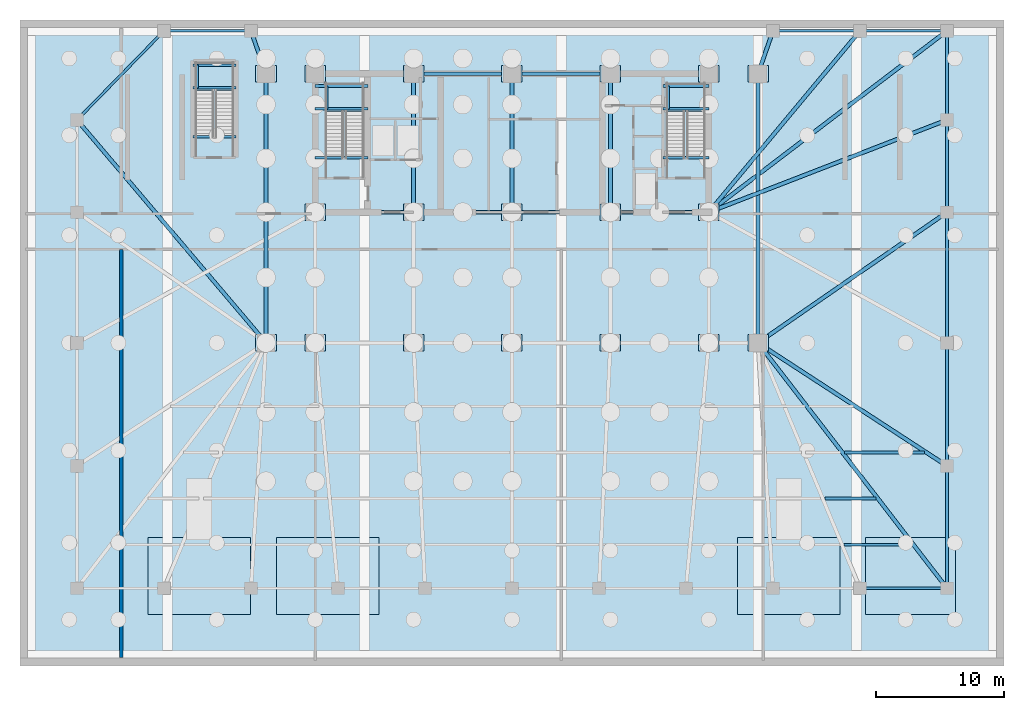
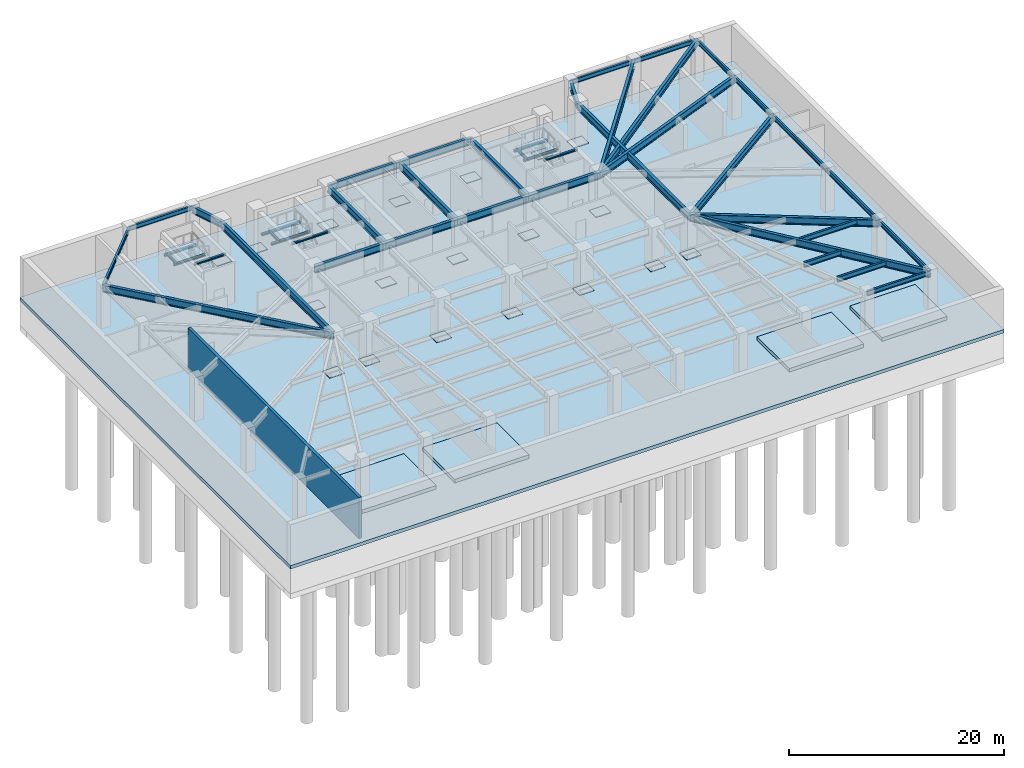
# One storey, part 3 of 9: 45 beams, 19 plates, 8 slabs, 1 wall, 3 elements without a shape of their own.
"""IFC4 building model written with IfcOpenShell, lengths in metres."""

import ifcopenshell
import ifcopenshell.guid

model = None  # the IFC model being written
_history = None  # IfcOwnerHistory: only IFC2X3 demands one
_inside = {}  # id of a spatial element -> (the spatial element, [elements in it])
_under = {}  # id of a project, library or spatial element -> (it, [spatial elements below it])
_declared = {}  # id of a project -> (the project, [libraries it declares])
_typed = {}  # id of a type object -> (the type object, [elements of that type])
_made_of = {}  # id of a material, layer set ... -> (it, [elements and type objects made of it])


def new_model(schema):
    """Start an empty IFC model of exactly this schema.

    Asked for "IFC4X3", IfcOpenShell would pick the latest addendum, in which some entities
    have other attributes; the version numbers below select the first issue.
    IFC2X3 requires an IfcOwnerHistory on every rooted entity: one is made here for all.
    """
    global model, _history
    if schema == "IFC4X3":
        model = ifcopenshell.file(schema_version=(4, 3, 0, 0))
    else:
        model = ifcopenshell.file(schema=schema)
    _inside.clear()
    _under.clear()
    _declared.clear()
    _typed.clear()
    _made_of.clear()
    _history = None
    if model.schema == "IFC2X3":
        org = make("IfcOrganization", Name="unknown")
        user = make(
            "IfcPersonAndOrganization",
            ThePerson=make("IfcPerson", FamilyName="unknown"),
            TheOrganization=org,
        )
        app = make(
            "IfcApplication",
            ApplicationDeveloper=org,
            Version="unknown",
            ApplicationFullName="unknown",
            ApplicationIdentifier="unknown",
        )
        _history = make(
            "IfcOwnerHistory",
            OwningUser=user,
            OwningApplication=app,
            ChangeAction="ADDED",
            CreationDate=0,
        )
    return model


def make(cls, **values):
    """One entity of the class cls with the attributes given. An attribute that is None is left unset."""
    return model.create_entity(
        cls, **{name: value for name, value in values.items() if value is not None}
    )


def rooted(cls, **values):
    """An entity with a GlobalId (a new one), such as an element, a storey or a relation."""
    return make(cls, GlobalId=ifcopenshell.guid.new(), OwnerHistory=_history, **values)


def si_unit(unit_type, name, prefix=None):
    """IfcSIUnit, for example si_unit("LENGTHUNIT", "METRE", prefix="MILLI")."""
    return make("IfcSIUnit", UnitType=unit_type, Prefix=prefix, Name=name)


def assignment(units):
    """IfcUnitAssignment: the units of a project."""
    return None if units is None else make("IfcUnitAssignment", Units=units)


def point(xyz):
    """IfcCartesianPoint."""
    return None if xyz is None else make("IfcCartesianPoint", Coordinates=xyz)


def direction(xyz):
    """IfcDirection."""
    return None if xyz is None else make("IfcDirection", DirectionRatios=xyz)


def frame(location, z_axis=None, x_axis=None):
    """IfcAxis2Placement3D, a coordinate frame: its origin and axes. An axis left out is left unset."""
    return make(
        "IfcAxis2Placement3D",
        Location=point(location),
        Axis=direction(z_axis),
        RefDirection=direction(x_axis),
    )


def frame_2d(location, x_axis=None):
    """IfcAxis2Placement2D, a coordinate frame in the plane: its origin and x axis."""
    return make(
        "IfcAxis2Placement2D", Location=point(location), RefDirection=direction(x_axis)
    )


def origin():
    """The frame at (0, 0, 0) with its axes left unset."""
    return frame((0.0, 0.0, 0.0))


def origin_2d():
    """The frame at (0, 0) in the plane with its x axis left unset."""
    return frame_2d((0.0, 0.0))


def place(relative_to, where):
    """IfcLocalPlacement: puts the frame where relative to a parent placement (None: the world)."""
    return make(
        "IfcLocalPlacement", PlacementRelTo=relative_to, RelativePlacement=where
    )


def context(
    kind, dimensions, precision=None, world=None, true_north=None, identifier=None
):
    """IfcGeometricRepresentationContext, for example the 3D "Model" context."""
    return make(
        "IfcGeometricRepresentationContext",
        ContextIdentifier=identifier,
        ContextType=kind,
        CoordinateSpaceDimension=dimensions,
        Precision=precision,
        WorldCoordinateSystem=world,
        TrueNorth=true_north,
    )


def subcontext(parent, identifier, kind, view, scale=None):
    """IfcGeometricRepresentationSubContext, for example "Body" below "Model"."""
    return make(
        "IfcGeometricRepresentationSubContext",
        ContextIdentifier=identifier,
        ContextType=kind,
        ParentContext=parent,
        TargetScale=scale,
        TargetView=view,
    )


def project(units=None, contexts=None):
    """IfcProject with its units and contexts."""
    return rooted(
        "IfcProject",
        Name="project",
        RepresentationContexts=contexts,
        UnitsInContext=assignment(units),
    )


def spatial(cls, under=None, at=None, **own):
    """A site, building, storey or space (cls), placed at a placement, below another one or the project."""
    s = rooted(cls, ObjectPlacement=at, **own)
    if under is not None:
        _under.setdefault(under.id(), (under, []))[1].append(s)
    return s


def polyline(points):
    """IfcPolyline through the points."""
    return make("IfcPolyline", Points=[point(p) for p in points])


def profile(cls, at=None, kind="AREA", **sizes):
    """A parametric profile (cls). Its sizes go by their IFC names, for example OverallWidth=200.0."""
    return make(cls, ProfileType=kind, Position=at, **sizes)


def rectangle(**sizes):
    """IfcRectangleProfileDef."""
    return profile("IfcRectangleProfileDef", **sizes)


def i_section(**sizes):
    """IfcIShapeProfileDef."""
    return profile("IfcIShapeProfileDef", **sizes)


def outline(outer, holes=None, kind="AREA"):
    """IfcArbitraryClosedProfileDef: a profile drawn as a closed curve; with holes, ...WithVoids."""
    if holes is None:
        return make("IfcArbitraryClosedProfileDef", ProfileType=kind, OuterCurve=outer)
    return make(
        "IfcArbitraryProfileDefWithVoids",
        ProfileType=kind,
        OuterCurve=outer,
        InnerCurves=holes,
    )


def extrude(swept, where, along, depth):
    """IfcExtrudedAreaSolid: the profile swept, set in the frame where, extruded along a direction by depth."""
    return make(
        "IfcExtrudedAreaSolid",
        SweptArea=swept,
        Position=where,
        ExtrudedDirection=direction(along),
        Depth=depth,
    )


def shape(context_of_items, identifier, shape_type, items):
    """IfcShapeRepresentation: the items that make up one representation, for example the "Body"."""
    return make(
        "IfcShapeRepresentation",
        ContextOfItems=context_of_items,
        RepresentationIdentifier=identifier,
        RepresentationType=shape_type,
        Items=items,
    )


def material(Name=None, Category=None):
    """IfcMaterial."""
    return make("IfcMaterial", Name=Name, Category=Category)


def layer(
    of_material, thickness, ventilated=None, Name=None, Category=None, Priority=None
):
    """IfcMaterialLayer: one layer of a wall or slab, of a material (None: an air gap)."""
    return make(
        "IfcMaterialLayer",
        Material=of_material,
        LayerThickness=thickness,
        IsVentilated=ventilated,
        Name=Name,
        Category=Category,
        Priority=Priority,
    )


def layer_set(layers, Name=None):
    """IfcMaterialLayerSet."""
    return make("IfcMaterialLayerSet", MaterialLayers=layers, LayerSetName=Name)


def material_profile(
    of_material, cross_section, Name=None, Category=None, Priority=None
):
    """IfcMaterialProfile: a cross section and its material."""
    return make(
        "IfcMaterialProfile",
        Name=Name,
        Material=of_material,
        Profile=cross_section,
        Priority=Priority,
        Category=Category,
    )


def profile_set(profiles, Name=None, composite=None):
    """IfcMaterialProfileSet."""
    return make(
        "IfcMaterialProfileSet",
        Name=Name,
        MaterialProfiles=profiles,
        CompositeProfile=composite,
    )


def made_of(thing, what):
    """Note that an element or type object is made of a material, layer set ...; save() writes the relation."""
    if what is not None:
        _made_of.setdefault(what.id(), (what, []))[1].append(thing)
    return thing


def type_object(cls, material=None, **own):
    """A type object (cls), such as IfcWallType, which elements share."""
    return made_of(rooted(cls, **own), material)


def element(
    cls,
    number,
    at=None,
    inside=None,
    cuts=None,
    type_object=None,
    material=None,
    context=None,
    identifier="Body",
    shape_type=None,
    held_by="IfcProductDefinitionShape",
    body=None,
    shapes=None,
    **own,
):
    """One element of the class cls, such as IfcWall. Its Tag is "e" and its number.

    at: its placement. inside: the storey or other place that contains it. cuts: it is an
    opening in that element (IfcRelVoidsElement). A single representation is given by context,
    identifier, shape_type and body (its items); several are given by shapes. held_by: the class
    of the entity that holds the representations. save() writes the other relations.
    """
    e = rooted(cls, Tag="e%d" % number, ObjectPlacement=at, **own)
    if body is not None:
        shapes = [shape(context, identifier, shape_type, body)]
    if shapes is not None:
        e.Representation = make(held_by, Representations=shapes)
    if inside is not None:
        _inside.setdefault(inside.id(), (inside, []))[1].append(e)
    if cuts is not None:
        rooted(
            "IfcRelVoidsElement", RelatingBuildingElement=cuts, RelatedOpeningElement=e
        )
    if type_object is not None:
        _typed.setdefault(type_object.id(), (type_object, []))[1].append(e)
    return made_of(e, material)


def aggregate(whole, parts):
    """IfcRelAggregates: a whole, such as a stair, and the parts it consists of."""
    return rooted("IfcRelAggregates", RelatingObject=whole, RelatedObjects=parts)


def save(model, path):
    """Write the relations noted so far, then the file.

    IfcRelAggregates (storeys below a building ...), IfcRelContainedInSpatialStructure (elements
    in a storey), IfcRelDefinesByType, IfcRelAssociatesMaterial and IfcRelDeclares: one each for
    every whole, place, type object, material and project.
    """
    for whole, parts in _under.values():
        aggregate(whole, parts)
    for where, things in _inside.values():
        rooted(
            "IfcRelContainedInSpatialStructure",
            RelatedElements=things,
            RelatingStructure=where,
        )
    for kind, things in _typed.values():
        rooted("IfcRelDefinesByType", RelatedObjects=things, RelatingType=kind)
    for what, things in _made_of.values():
        rooted("IfcRelAssociatesMaterial", RelatedObjects=things, RelatingMaterial=what)
    for by, libraries in _declared.values():
        rooted("IfcRelDeclares", RelatingContext=by, RelatedDefinitions=libraries)
    model.write(path)


model = new_model("IFC4")

# Units and contexts
model_context = context("Model", 3, precision=1e-05, world=origin(), true_north=direction((0.0, 1.0)))
body_context = subcontext(model_context, "Body", "Model", "MODEL_VIEW")
ifc_project = project(units=[si_unit("LENGTHUNIT", "METRE"), si_unit("AREAUNIT", "SQUARE_METRE"), si_unit("VOLUMEUNIT", "CUBIC_METRE"), si_unit("PLANEANGLEUNIT", "RADIAN"), si_unit("MASSUNIT", "GRAM", prefix="KILO")], contexts=[model_context])

# Site, building, storey
site_placement = place(None, origin())
site = spatial("IfcSite", under=ifc_project, at=site_placement, CompositionType="ELEMENT")
building_placement = place(site_placement, origin())
building = spatial("IfcBuilding", under=site, at=building_placement, Name="Yelkora Congress Tower", CompositionType="ELEMENT")
storey_placement = place(building_placement, frame((0.0, 0.0, -10.0)))
storey = spatial("IfcBuildingStorey", under=building, at=storey_placement, Name="B02", CompositionType="ELEMENT", Elevation=-10.0)

# Beams
ifc_material_1 = material(Name="Steel S355J2", Category="steel")
ifc_material_profile_1 = material_profile(ifc_material_1, i_section(OverallWidth=0.300048828125, OverallDepth=0.800048828125, WebThickness=0.017578125, FlangeThickness=0.032958984375, FilletRadius=0.030029296875, at=origin_2d()), Name="HEB 800")
ifc_profile_set_1 = profile_set([ifc_material_profile_1], Name="Steel S355J2")
beam_type_1 = type_object("IfcBeamType", Name="BM-GIRD-HEB800", PredefinedType="BEAM", material=ifc_profile_set_1)
beam_1_placement = place(storey_placement, frame((30.719970703125, 46.199951171875, 4.25), z_axis=(1.0, 0.0, 0.0), x_axis=(0.0, 1.0, 0.0)))
element("IfcBeam", 1, at=beam_1_placement, inside=storey, type_object=beam_type_1, Name="B02 Core North Girder 3", PredefinedType="BEAM", context=body_context, shape_type="SweptSolid", body=[
    extrude(i_section(OverallWidth=0.300048828125, OverallDepth=0.800048828125, WebThickness=0.017578125, FlangeThickness=0.032958984375, FilletRadius=0.030029296875, at=origin_2d()), origin(), (0.0, 0.0, 1.0), 7.679931640625),
])
beam_2_placement = place(storey_placement, frame((38.39990234375, 46.199951171875, 4.25), z_axis=(1.0, 0.0, 0.0), x_axis=(0.0, 1.0, 0.0)))
element("IfcBeam", 2, at=beam_2_placement, inside=storey, type_object=beam_type_1, Name="B02 Core North Girder 4", PredefinedType="BEAM", context=body_context, shape_type="SweptSolid", body=[
    extrude(i_section(OverallWidth=0.300048828125, OverallDepth=0.800048828125, WebThickness=0.017578125, FlangeThickness=0.032958984375, FilletRadius=0.030029296875, at=origin_2d()), origin(), (0.0, 0.0, 1.0), 7.68017578125),
])
for number, where, z_axis, x_axis, name in (
    (3, (23.0400390625, 35.39990234375, 4.25), (1.0, 0.0, 0.0), (0.0, 1.0, 0.0), "B02 Core South Girder 1"),
    (4, (30.719970703125, 35.39990234375, 4.25), (1.0, 0.0, 0.0), (0.0, 1.0, 0.0), "B02 Core South Girder 2"),
):
    element("IfcBeam", number, at=place(storey_placement, frame(where, z_axis=z_axis, x_axis=x_axis)), inside=storey, type_object=beam_type_1, Name=name, PredefinedType="BEAM", context=body_context, shape_type="SweptSolid", body=[
        extrude(i_section(OverallWidth=0.300048828125, OverallDepth=0.800048828125, WebThickness=0.017578125, FlangeThickness=0.032958984375, FilletRadius=0.030029296875, at=origin_2d()), origin(), (0.0, 0.0, 1.0), 7.679931640625),
    ])
beam_3_placement = place(storey_placement, frame((38.39990234375, 35.39990234375, 4.25), z_axis=(1.0, 0.0, 0.0), x_axis=(0.0, 1.0, 0.0)))
element("IfcBeam", 5, at=beam_3_placement, inside=storey, type_object=beam_type_1, Name="B02 Core South Girder 3", PredefinedType="BEAM", context=body_context, shape_type="SweptSolid", body=[
    extrude(i_section(OverallWidth=0.300048828125, OverallDepth=0.800048828125, WebThickness=0.017578125, FlangeThickness=0.032958984375, FilletRadius=0.030029296875, at=origin_2d()), origin(), (0.0, 0.0, 1.0), 7.68017578125),
])
beam_4_placement = place(storey_placement, frame((46.080078125, 35.39990234375, 4.25), z_axis=(1.0, 0.0, 0.0), x_axis=(0.0, 1.0, 0.0)))
element("IfcBeam", 6, at=beam_4_placement, inside=storey, type_object=beam_type_1, Name="B02 Core South Girder 4", PredefinedType="BEAM", context=body_context, shape_type="SweptSolid", body=[
    extrude(i_section(OverallWidth=0.300048828125, OverallDepth=0.800048828125, WebThickness=0.017578125, FlangeThickness=0.032958984375, FilletRadius=0.030029296875, at=origin_2d()), origin(), (0.0, 0.0, 1.0), 7.679931640625),
])
for number, where, z_axis, x_axis, name in (
    (7, (30.719970703125, 35.39990234375, 4.25), (0.0, 1.0, 0.0), (-1.0, 0.0, 0.0), "B02 Core Tie Girder MC-S2"),
    (8, (38.39990234375, 35.39990234375, 4.25), (0.0, 1.0, 0.0), (-1.0, 0.0, 0.0), "B02 Core Tie Girder MC-S3"),
    (9, (46.080078125, 35.39990234375, 4.25), (0.0, 1.0, 0.0), (-1.0, 0.0, 0.0), "B02 Core Tie Girder MC-S4"),
):
    element("IfcBeam", number, at=place(storey_placement, frame(where, z_axis=z_axis, x_axis=x_axis)), inside=storey, type_object=beam_type_1, Name=name, PredefinedType="BEAM", context=body_context, shape_type="SweptSolid", body=[
        extrude(i_section(OverallWidth=0.300048828125, OverallDepth=0.800048828125, WebThickness=0.017578125, FlangeThickness=0.032958984375, FilletRadius=0.030029296875, at=origin_2d()), origin(), (0.0, 0.0, 1.0), 10.800048828125),
    ])
for number, where, z_axis, x_axis, name in (
    (10, (19.199951171875, 25.199951171875, 4.25), (0.0, 1.0, 0.0), (-1.0, 0.0, 0.0), "B02 Neck Flank Girder MC-F1"),
    (11, (57.60009765625, 25.199951171875, 4.25), (0.0, 1.0, 0.0), (-1.0, 0.0, 0.0), "B02 Neck Flank Girder MC-F2"),
):
    element("IfcBeam", number, at=place(storey_placement, frame(where, z_axis=z_axis, x_axis=x_axis)), inside=storey, type_object=beam_type_1, Name=name, PredefinedType="BEAM", context=body_context, shape_type="SweptSolid", body=[
        extrude(i_section(OverallWidth=0.300048828125, OverallDepth=0.800048828125, WebThickness=0.017578125, FlangeThickness=0.032958984375, FilletRadius=0.030029296875, at=origin_2d()), origin(), (0.0, 0.0, 1.0), 21.0),
    ])
for number, where, z_axis, x_axis, name in (
    (12, (18.030029296875, 49.550048828125, 4.25), (0.329694513381, -0.944087669577, 0.0), (0.944087669577, 0.329694513381, 0.0), "B02 Primary Frame Girder PN03"),
    (13, (58.77001953125, 49.550048828125, 4.25), (-0.329694513381, -0.944087669577, 0.0), (0.944087669577, -0.329694513381, 0.0), "B02 Primary Frame Girder PN09"),
):
    element("IfcBeam", number, at=place(storey_placement, frame(where, z_axis=z_axis, x_axis=x_axis)), inside=storey, type_object=beam_type_1, Name=name, PredefinedType="BEAM", context=body_context, shape_type="SweptSolid", body=[
        extrude(i_section(OverallWidth=0.300048828125, OverallDepth=0.800048828125, WebThickness=0.017578125, FlangeThickness=0.032958984375, FilletRadius=0.030029296875, at=origin_2d()), origin(), (0.0, 0.0, 1.0), 3.548583984375),
    ])
beam_5_placement = place(storey_placement, frame((65.56005859375, 49.550048828125, 4.25), z_axis=(-0.640448942428, -0.768000750092, 0.0), x_axis=(0.768000750092, -0.640448942428, 0.0)))
element("IfcBeam", 14, at=beam_5_placement, inside=storey, type_object=beam_type_1, Name="B02 Primary Frame Girder PN10", PredefinedType="BEAM", context=body_context, shape_type="SweptSolid", body=[
    extrude(i_section(OverallWidth=0.300048828125, OverallDepth=0.800048828125, WebThickness=0.017578125, FlangeThickness=0.032958984375, FilletRadius=0.030029296875, at=origin_2d()), origin(), (0.0, 0.0, 1.0), 18.424560546875),
])
beam_6_placement = place(storey_placement, frame((72.35009765625, 6.050048828125, 4.25), z_axis=(-0.610212418574, 0.792237845737, 0.0), x_axis=(-0.792237845737, -0.610212418574, 0.0)))
element("IfcBeam", 15, at=beam_6_placement, inside=storey, type_object=beam_type_1, Name="B02 Primary Frame Girder PS11", PredefinedType="BEAM", context=body_context, shape_type="SweptSolid", body=[
    extrude(i_section(OverallWidth=0.300048828125, OverallDepth=0.800048828125, WebThickness=0.017578125, FlangeThickness=0.032958984375, FilletRadius=0.030029296875, at=origin_2d()), origin(), (0.0, 0.0, 1.0), 24.171875),
])
beam_7_placement = place(storey_placement, frame((72.35009765625, 49.550048828125, 4.25), z_axis=(-0.795714937458, -0.605671312104, 0.0), x_axis=(0.605671312104, -0.795714937458, 0.0)))
element("IfcBeam", 16, at=beam_7_placement, inside=storey, type_object=beam_type_1, Name="B02 Primary Frame Girder PN11", PredefinedType="BEAM", context=body_context, shape_type="SweptSolid", body=[
    extrude(i_section(OverallWidth=0.300048828125, OverallDepth=0.800048828125, WebThickness=0.017578125, FlangeThickness=0.032958984375, FilletRadius=0.030029296875, at=origin_2d()), origin(), (0.0, 0.0, 1.0), 23.36279296875),
])
beam_8_placement = place(storey_placement, frame((72.35009765625, 15.60009765625, 4.25), z_axis=(-0.83812272066, 0.545481718404, 0.0), x_axis=(-0.545481718404, -0.83812272066, 0.0)))
element("IfcBeam", 17, at=beam_8_placement, inside=storey, type_object=beam_type_1, Name="B02 Primary Frame Girder PE1", PredefinedType="BEAM", context=body_context, shape_type="SweptSolid", body=[
    extrude(i_section(OverallWidth=0.300048828125, OverallDepth=0.800048828125, WebThickness=0.017578125, FlangeThickness=0.032958984375, FilletRadius=0.030029296875, at=origin_2d()), origin(), (0.0, 0.0, 1.0), 17.598876953125),
])
beam_9_placement = place(storey_placement, frame((72.35009765625, 35.39990234375, 4.25), z_axis=(-0.822494466498, -0.568773111689, 0.0), x_axis=(0.568773111689, -0.822494466498, 0.0)))
element("IfcBeam", 18, at=beam_9_placement, inside=storey, type_object=beam_type_1, Name="B02 Primary Frame Girder PE3", PredefinedType="BEAM", context=body_context, shape_type="SweptSolid", body=[
    extrude(i_section(OverallWidth=0.300048828125, OverallDepth=0.800048828125, WebThickness=0.017578125, FlangeThickness=0.032958984375, FilletRadius=0.030029296875, at=origin_2d()), origin(), (0.0, 0.0, 1.0), 17.933349609375),
])
beam_10_placement = place(storey_placement, frame((4.449951171875, 42.60009765625, 4.25), z_axis=(0.646626635363, -0.762806656001, 0.0), x_axis=(0.762806656001, 0.646626635363, 0.0)))
element("IfcBeam", 19, at=beam_10_placement, inside=storey, type_object=beam_type_1, Name="B02 Primary Frame Girder PW4", PredefinedType="BEAM", context=body_context, shape_type="SweptSolid", body=[
    extrude(i_section(OverallWidth=0.300048828125, OverallDepth=0.800048828125, WebThickness=0.017578125, FlangeThickness=0.032958984375, FilletRadius=0.030029296875, at=origin_2d()), origin(), (0.0, 0.0, 1.0), 22.810791015625),
])
beam_11_placement = place(storey_placement, frame((72.35009765625, 42.60009765625, 4.25), z_axis=(-0.93249998964, -0.361170000584, 0.0), x_axis=(0.361170000584, -0.93249998964, 0.0)))
element("IfcBeam", 20, at=beam_11_placement, inside=storey, type_object=beam_type_1, Name="B02 Primary Frame Girder PE4", PredefinedType="BEAM", context=body_context, shape_type="SweptSolid", body=[
    extrude(i_section(OverallWidth=0.300048828125, OverallDepth=0.800048828125, WebThickness=0.017578125, FlangeThickness=0.032958984375, FilletRadius=0.030029296875, at=origin_2d()), origin(), (0.0, 0.0, 1.0), 19.935791015625),
])
ifc_material_profile_2 = material_profile(ifc_material_1, i_section(OverallWidth=0.2099609375, OverallDepth=0.550048828125, WebThickness=0.010986328125, FlangeThickness=0.01708984375, FilletRadius=0.02392578125, at=origin_2d()), Name="IPE 550")
ifc_profile_set_2 = profile_set([ifc_material_profile_2], Name="Steel S355J2")
beam_type_2 = type_object("IfcBeamType", Name="BM-JOIST-IPE550", PredefinedType="JOIST", material=ifc_profile_set_2)
beam_12_placement = place(storey_placement, frame((64.306640625, 9.449951171875, 4.375), z_axis=(1.0, 0.0, 0.0), x_axis=(0.0, 1.0, 0.0)))
element("IfcBeam", 21, at=beam_12_placement, inside=storey, type_object=beam_type_2, Name="B02 Composite Floor Joist 10", PredefinedType="JOIST", context=body_context, shape_type="SweptSolid", body=[
    extrude(i_section(OverallWidth=0.2099609375, OverallDepth=0.550048828125, WebThickness=0.010986328125, FlangeThickness=0.01708984375, FilletRadius=0.02392578125, at=origin_2d()), origin(), (0.0, 0.0, 1.0), 5.2646484375),
])
beam_13_placement = place(storey_placement, frame((62.810302734375, 13.050048828125, 4.375), z_axis=(1.0, 0.0, 0.0), x_axis=(0.0, 1.0, 0.0)))
element("IfcBeam", 22, at=beam_13_placement, inside=storey, type_object=beam_type_2, Name="B02 Composite Floor Joist 20", PredefinedType="JOIST", context=body_context, shape_type="SweptSolid", body=[
    extrude(i_section(OverallWidth=0.2099609375, OverallDepth=0.550048828125, WebThickness=0.010986328125, FlangeThickness=0.01708984375, FilletRadius=0.02392578125, at=origin_2d()), origin(), (0.0, 0.0, 1.0), 3.988037109375),
])
beam_14_placement = place(storey_placement, frame((64.345458984375, 16.64990234375, 4.375), z_axis=(1.0, 0.0, 0.0), x_axis=(0.0, 1.0, 0.0)))
element("IfcBeam", 23, at=beam_14_placement, inside=storey, type_object=beam_type_2, Name="B02 Composite Floor Joist 31", PredefinedType="JOIST", context=body_context, shape_type="SweptSolid", body=[
    extrude(i_section(OverallWidth=0.2099609375, OverallDepth=0.550048828125, WebThickness=0.010986328125, FlangeThickness=0.01708984375, FilletRadius=0.02392578125, at=origin_2d()), origin(), (0.0, 0.0, 1.0), 6.231201171875),
])
ifc_material_profile_3 = material_profile(ifc_material_1, i_section(OverallWidth=0.199951171875, OverallDepth=0.18994140625, WebThickness=0.006591796875, FlangeThickness=0.010009765625, FilletRadius=0.01806640625, at=origin_2d()), Name="HEA 200")
ifc_profile_set_3 = profile_set([ifc_material_profile_3], Name="Steel S355J2")
beam_type_3 = type_object("IfcBeamType", Name="BM-LAND-HEA200", PredefinedType="BEAM", material=ifc_profile_set_3)
for number, where, z_axis, x_axis, name in (
    (24, (23.0400390625, 43.4599609375, 2.1845703125), (1.0, 0.0, 0.0), (0.0, 1.0, 0.0), "ST-01 B02 Landing Header Beam 1S"),
    (25, (23.0400390625, 45.25, 2.1845703125), (1.0, 0.0, 0.0), (0.0, 1.0, 0.0), "ST-01 B02 Landing Header Beam 1N"),
):
    element("IfcBeam", number, at=place(storey_placement, frame(where, z_axis=z_axis, x_axis=x_axis)), inside=storey, type_object=beam_type_3, Name=name, PredefinedType="BEAM", context=body_context, shape_type="SweptSolid", body=[
        extrude(i_section(OverallWidth=0.199951171875, OverallDepth=0.18994140625, WebThickness=0.006591796875, FlangeThickness=0.010009765625, FilletRadius=0.01806640625, at=origin_2d()), origin(), (0.0, 0.0, 1.0), 4.10986328125),
    ])
beam_15_placement = place(storey_placement, frame((23.93994140625, 43.4599609375, 2.1845703125), z_axis=(0.0, 1.0, 0.0), x_axis=(-1.0, 0.0, 0.0)))
element("IfcBeam", 26, at=beam_15_placement, inside=storey, type_object=beam_type_3, Name="ST-01 B02 Landing Trimmer Beam 1M", PredefinedType="BEAM", context=body_context, shape_type="SweptSolid", body=[
    extrude(i_section(OverallWidth=0.199951171875, OverallDepth=0.18994140625, WebThickness=0.006591796875, FlangeThickness=0.010009765625, FilletRadius=0.01806640625, at=origin_2d()), origin(), (0.0, 0.0, 1.0), 1.7900390625),
])
beam_16_placement = place(storey_placement, frame((23.0400390625, 39.639892578125, 4.536376953125), z_axis=(1.0, 0.0, 0.0), x_axis=(0.0, 1.0, 0.0)))
element("IfcBeam", 27, at=beam_16_placement, inside=storey, type_object=beam_type_3, Name="ST-01 B02 Floor Arrival Stringer Header Beam", PredefinedType="BEAM", context=body_context, shape_type="SweptSolid", body=[
    extrude(i_section(OverallWidth=0.199951171875, OverallDepth=0.18994140625, WebThickness=0.006591796875, FlangeThickness=0.010009765625, FilletRadius=0.01806640625, at=origin_2d()), origin(), (0.0, 0.0, 1.0), 4.10986328125),
])
for number, where, z_axis, x_axis, name in (
    (28, (50.179931640625, 43.4599609375, 2.1845703125), (1.0, 0.0, 0.0), (0.0, 1.0, 0.0), "ST-02 B02 Landing Header Beam 1S"),
    (29, (50.179931640625, 45.25, 2.1845703125), (1.0, 0.0, 0.0), (0.0, 1.0, 0.0), "ST-02 B02 Landing Header Beam 1N"),
):
    element("IfcBeam", number, at=place(storey_placement, frame(where, z_axis=z_axis, x_axis=x_axis)), inside=storey, type_object=beam_type_3, Name=name, PredefinedType="BEAM", context=body_context, shape_type="SweptSolid", body=[
        extrude(i_section(OverallWidth=0.199951171875, OverallDepth=0.18994140625, WebThickness=0.006591796875, FlangeThickness=0.010009765625, FilletRadius=0.01806640625, at=origin_2d()), origin(), (0.0, 0.0, 1.0), 3.580078125),
    ])
beam_17_placement = place(storey_placement, frame((50.580078125, 43.4599609375, 2.1845703125), z_axis=(0.0, 1.0, 0.0), x_axis=(-1.0, 0.0, 0.0)))
element("IfcBeam", 30, at=beam_17_placement, inside=storey, type_object=beam_type_3, Name="ST-02 B02 Landing Trimmer Beam 1M", PredefinedType="BEAM", context=body_context, shape_type="SweptSolid", body=[
    extrude(i_section(OverallWidth=0.199951171875, OverallDepth=0.18994140625, WebThickness=0.006591796875, FlangeThickness=0.010009765625, FilletRadius=0.01806640625, at=origin_2d()), origin(), (0.0, 0.0, 1.0), 1.7900390625),
])
beam_18_placement = place(storey_placement, frame((50.179931640625, 39.639892578125, 4.536376953125), z_axis=(1.0, 0.0, 0.0), x_axis=(0.0, 1.0, 0.0)))
element("IfcBeam", 31, at=beam_18_placement, inside=storey, type_object=beam_type_3, Name="ST-02 B02 Floor Arrival Stringer Header Beam", PredefinedType="BEAM", context=body_context, shape_type="SweptSolid", body=[
    extrude(i_section(OverallWidth=0.199951171875, OverallDepth=0.18994140625, WebThickness=0.006591796875, FlangeThickness=0.010009765625, FilletRadius=0.01806640625, at=origin_2d()), origin(), (0.0, 0.0, 1.0), 3.580078125),
])
for number, where, z_axis, x_axis, name in (
    (32, (13.5, 45.110107421875, 2.1845703125), (1.0, 0.0, 0.0), (0.0, 1.0, 0.0), "ST-B1 B02 Landing Header Beam 1S"),
    (33, (13.5, 46.8798828125, 2.1845703125), (1.0, 0.0, 0.0), (0.0, 1.0, 0.0), "ST-B1 B02 Landing Header Beam 1N"),
):
    element("IfcBeam", number, at=place(storey_placement, frame(where, z_axis=z_axis, x_axis=x_axis)), inside=storey, type_object=beam_type_3, Name=name, PredefinedType="BEAM", context=body_context, shape_type="SweptSolid", body=[
        extrude(i_section(OverallWidth=0.199951171875, OverallDepth=0.18994140625, WebThickness=0.006591796875, FlangeThickness=0.010009765625, FilletRadius=0.01806640625, at=origin_2d()), origin(), (0.0, 0.0, 1.0), 3.360107421875),
    ])
beam_19_placement = place(storey_placement, frame((13.820068359375, 45.110107421875, 2.1845703125), z_axis=(0.0, 1.0, 0.0), x_axis=(-1.0, 0.0, 0.0)))
element("IfcBeam", 34, at=beam_19_placement, inside=storey, type_object=beam_type_3, Name="ST-B1 B02 Landing Trimmer Beam 1M", PredefinedType="BEAM", context=body_context, shape_type="SweptSolid", body=[
    extrude(i_section(OverallWidth=0.199951171875, OverallDepth=0.18994140625, WebThickness=0.006591796875, FlangeThickness=0.010009765625, FilletRadius=0.01806640625, at=origin_2d()), origin(), (0.0, 0.0, 1.0), 1.769775390625),
])
beam_20_placement = place(storey_placement, frame((13.5, 41.2900390625, 4.536376953125), z_axis=(1.0, 0.0, 0.0), x_axis=(0.0, 1.0, 0.0)))
element("IfcBeam", 35, at=beam_20_placement, inside=storey, type_object=beam_type_3, Name="ST-B1 B02 Floor Arrival Stringer Header Beam", PredefinedType="BEAM", context=body_context, shape_type="SweptSolid", body=[
    extrude(i_section(OverallWidth=0.199951171875, OverallDepth=0.18994140625, WebThickness=0.006591796875, FlangeThickness=0.010009765625, FilletRadius=0.01806640625, at=origin_2d()), origin(), (0.0, 0.0, 1.0), 3.360107421875),
])
ifc_material_profile_4 = material_profile(ifc_material_1, i_section(OverallWidth=0.199951171875, OverallDepth=0.5, WebThickness=0.01025390625, FlangeThickness=0.01611328125, FilletRadius=0.02099609375, at=origin_2d()), Name="IPE 500")
ifc_profile_set_4 = profile_set([ifc_material_profile_4], Name="Steel S355J2")
beam_type_4 = type_object("IfcBeamType", Name="BM-SPAN-IPE500B", PredefinedType="BEAM", material=ifc_profile_set_4)
beam_21_placement = place(storey_placement, frame((65.56005859375, 6.050048828125, 4.39990234375), z_axis=(1.0, 0.0, 0.0), x_axis=(0.0, 1.0, 0.0)))
element("IfcBeam", 36, at=beam_21_placement, inside=storey, type_object=beam_type_4, Name="B02 Perimeter Beam 11", PredefinedType="BEAM", context=body_context, shape_type="SweptSolid", body=[
    extrude(i_section(OverallWidth=0.199951171875, OverallDepth=0.5, WebThickness=0.01025390625, FlangeThickness=0.01611328125, FilletRadius=0.02099609375, at=origin_2d()), origin(), (0.0, 0.0, 1.0), 6.7900390625),
])
beam_22_placement = place(storey_placement, frame((72.35009765625, 6.050048828125, 4.39990234375), z_axis=(0.0, 1.0, 0.0), x_axis=(-1.0, 0.0, 0.0)))
element("IfcBeam", 37, at=beam_22_placement, inside=storey, type_object=beam_type_4, Name="B02 Perimeter Beam 12", PredefinedType="BEAM", context=body_context, shape_type="SweptSolid", body=[
    extrude(i_section(OverallWidth=0.199951171875, OverallDepth=0.5, WebThickness=0.01025390625, FlangeThickness=0.01611328125, FilletRadius=0.02099609375, at=origin_2d()), origin(), (0.0, 0.0, 1.0), 9.550048828125),
])
beam_23_placement = place(storey_placement, frame((72.35009765625, 15.60009765625, 4.39990234375), z_axis=(0.0, 1.0, 0.0), x_axis=(-1.0, 0.0, 0.0)))
element("IfcBeam", 38, at=beam_23_placement, inside=storey, type_object=beam_type_4, Name="B02 Perimeter Beam 13", PredefinedType="BEAM", context=body_context, shape_type="SweptSolid", body=[
    extrude(i_section(OverallWidth=0.199951171875, OverallDepth=0.5, WebThickness=0.01025390625, FlangeThickness=0.01611328125, FilletRadius=0.02099609375, at=origin_2d()), origin(), (0.0, 0.0, 1.0), 9.599853515625),
])
beam_24_placement = place(storey_placement, frame((72.35009765625, 25.199951171875, 4.39990234375), z_axis=(0.0, 1.0, 0.0), x_axis=(-1.0, 0.0, 0.0)))
element("IfcBeam", 39, at=beam_24_placement, inside=storey, type_object=beam_type_4, Name="B02 Perimeter Beam 14", PredefinedType="BEAM", context=body_context, shape_type="SweptSolid", body=[
    extrude(i_section(OverallWidth=0.199951171875, OverallDepth=0.5, WebThickness=0.01025390625, FlangeThickness=0.01611328125, FilletRadius=0.02099609375, at=origin_2d()), origin(), (0.0, 0.0, 1.0), 10.199951171875),
])
beam_25_placement = place(storey_placement, frame((72.35009765625, 35.39990234375, 4.39990234375), z_axis=(0.0, 1.0, 0.0), x_axis=(-1.0, 0.0, 0.0)))
element("IfcBeam", 40, at=beam_25_placement, inside=storey, type_object=beam_type_4, Name="B02 Perimeter Beam 15", PredefinedType="BEAM", context=body_context, shape_type="SweptSolid", body=[
    extrude(i_section(OverallWidth=0.199951171875, OverallDepth=0.5, WebThickness=0.01025390625, FlangeThickness=0.01611328125, FilletRadius=0.02099609375, at=origin_2d()), origin(), (0.0, 0.0, 1.0), 7.2001953125),
])
beam_26_placement = place(storey_placement, frame((72.35009765625, 42.60009765625, 4.39990234375), z_axis=(0.0, 1.0, 0.0), x_axis=(-1.0, 0.0, 0.0)))
element("IfcBeam", 41, at=beam_26_placement, inside=storey, type_object=beam_type_4, Name="B02 Perimeter Beam 16", PredefinedType="BEAM", context=body_context, shape_type="SweptSolid", body=[
    extrude(i_section(OverallWidth=0.199951171875, OverallDepth=0.5, WebThickness=0.01025390625, FlangeThickness=0.01611328125, FilletRadius=0.02099609375, at=origin_2d()), origin(), (0.0, 0.0, 1.0), 6.949951171875),
])
for number, where, z_axis, x_axis, name in (
    (42, (72.35009765625, 49.550048828125, 4.39990234375), (-1.0, 0.0, 0.0), (0.0, -1.0, 0.0), "B02 Perimeter Beam 17"),
    (43, (65.56005859375, 49.550048828125, 4.39990234375), (-1.0, 0.0, 0.0), (0.0, -1.0, 0.0), "B02 Perimeter Beam 18"),
    (44, (18.030029296875, 49.550048828125, 4.39990234375), (-1.0, 0.0, 0.0), (0.0, -1.0, 0.0), "B02 Perimeter Beam 20"),
):
    element("IfcBeam", number, at=place(storey_placement, frame(where, z_axis=z_axis, x_axis=x_axis)), inside=storey, type_object=beam_type_4, Name=name, PredefinedType="BEAM", context=body_context, shape_type="SweptSolid", body=[
        extrude(i_section(OverallWidth=0.199951171875, OverallDepth=0.5, WebThickness=0.01025390625, FlangeThickness=0.01611328125, FilletRadius=0.02099609375, at=origin_2d()), origin(), (0.0, 0.0, 1.0), 6.7900390625),
    ])
beam_27_placement = place(storey_placement, frame((11.239990234375, 49.550048828125, 4.39990234375), z_axis=(-0.698829830555, -0.715287961542, 0.0), x_axis=(0.715287961542, -0.698829830555, 0.0)))
element("IfcBeam", 45, at=beam_27_placement, inside=storey, type_object=beam_type_4, Name="B02 Perimeter Beam 21", PredefinedType="BEAM", context=body_context, shape_type="SweptSolid", body=[
    extrude(i_section(OverallWidth=0.199951171875, OverallDepth=0.5, WebThickness=0.01025390625, FlangeThickness=0.01611328125, FilletRadius=0.02099609375, at=origin_2d()), origin(), (0.0, 0.0, 1.0), 9.71630859375),
])

# Plates
ifc_material_2 = material(Name="Steel S460M", Category="steel")
ifc_layer_1 = layer(ifc_material_2, 0.090087890625)
ifc_layer_set_1 = layer_set([ifc_layer_1], Name="Steel S460M")
plate_type = type_object("IfcPlateType", Name="PLT-BASE-1600x1300", PredefinedType="USERDEFINED", material=ifc_layer_set_1)
for number, where, z_axis, x_axis, name in (
    (46, (23.0400390625, 35.39990234375, -0.044921875), (0.0, 0.0, 1.0), (1.0, 0.0, 0.0), "Mega Column Base Plate MC-S1"),
    (47, (23.0400390625, 46.199951171875, -0.044921875), (0.0, 0.0, 1.0), (1.0, 0.0, 0.0), "Mega Column Base Plate MC-N1"),
    (48, (23.0400390625, 25.199951171875, -0.044921875), (0.0, 0.0, 1.0), (1.0, 0.0, 0.0), "Mega Column Base Plate MC-D1"),
    (49, (30.719970703125, 35.39990234375, -0.044921875), (0.0, 0.0, 1.0), (1.0, 0.0, 0.0), "Mega Column Base Plate MC-S2"),
    (50, (30.719970703125, 46.199951171875, -0.044921875), (0.0, 0.0, 1.0), (1.0, 0.0, 0.0), "Mega Column Base Plate MC-N2"),
    (51, (30.719970703125, 25.199951171875, -0.044921875), (0.0, 0.0, 1.0), (1.0, 0.0, 0.0), "Mega Column Base Plate MC-D2"),
    (52, (38.39990234375, 35.39990234375, -0.044921875), (0.0, 0.0, 1.0), (1.0, 0.0, 0.0), "Mega Column Base Plate MC-S3"),
    (53, (38.39990234375, 46.199951171875, -0.044921875), (0.0, 0.0, 1.0), (1.0, 0.0, 0.0), "Mega Column Base Plate MC-N3"),
    (54, (38.39990234375, 25.199951171875, -0.044921875), (0.0, 0.0, 1.0), (1.0, 0.0, 0.0), "Mega Column Base Plate MC-D3"),
    (55, (46.080078125, 35.39990234375, -0.044921875), (0.0, 0.0, 1.0), (1.0, 0.0, 0.0), "Mega Column Base Plate MC-S4"),
    (56, (46.080078125, 46.199951171875, -0.044921875), (0.0, 0.0, 1.0), (1.0, 0.0, 0.0), "Mega Column Base Plate MC-N4"),
    (57, (46.080078125, 25.199951171875, -0.044921875), (0.0, 0.0, 1.0), (1.0, 0.0, 0.0), "Mega Column Base Plate MC-D4"),
    (58, (53.760009765625, 35.39990234375, -0.044921875), (0.0, 0.0, 1.0), (1.0, 0.0, 0.0), "Mega Column Base Plate MC-S5"),
    (59, (53.760009765625, 46.199951171875, -0.044921875), (0.0, 0.0, 1.0), (1.0, 0.0, 0.0), "Mega Column Base Plate MC-N5"),
    (60, (53.760009765625, 25.199951171875, -0.044921875), (0.0, 0.0, 1.0), (1.0, 0.0, 0.0), "Mega Column Base Plate MC-D5"),
    (61, (19.199951171875, 25.199951171875, -0.044921875), (0.0, 0.0, 1.0), (1.0, 0.0, 0.0), "Mega Column Base Plate MC-F1"),
    (62, (57.60009765625, 25.199951171875, -0.044921875), (0.0, 0.0, 1.0), (1.0, 0.0, 0.0), "Mega Column Base Plate MC-F2"),
    (63, (19.199951171875, 46.199951171875, -0.044921875), (0.0, 0.0, 1.0), (1.0, 0.0, 0.0), "Mega Column Base Plate MC-F3"),
    (64, (57.60009765625, 46.199951171875, -0.044921875), (0.0, 0.0, 1.0), (1.0, 0.0, 0.0), "Mega Column Base Plate MC-F4"),
):
    element("IfcPlate", number, at=place(storey_placement, frame(where, z_axis=z_axis, x_axis=x_axis)), inside=storey, type_object=plate_type, Name=name, ObjectType="BASE_PLATE", PredefinedType="USERDEFINED", context=body_context, shape_type="SweptSolid", body=[
        extrude(rectangle(XDim=1.60009765625, YDim=1.300048828125, at=origin_2d()), origin(), (0.0, 0.0, 1.0), 0.090087890625),
    ])

# Slabs
ifc_material_3 = material(Name="Concrete C50/60", Category="concrete")
ifc_layer_2 = layer(ifc_material_3, 0.39990234375)
ifc_layer_set_2 = layer_set([ifc_layer_2], Name="Concrete C50/60")
slab_type_1 = type_object("IfcSlabType", Name="SLAB-BASE-400", PredefinedType="BASESLAB", material=ifc_layer_set_2)
slab_1_placement = place(storey_placement, frame((0.0, 0.0, -0.39990234375)))
element("IfcSlab", 65, at=slab_1_placement, inside=storey, type_object=slab_type_1, Name="B02 Structural Floor Slab", PredefinedType="BASESLAB", context=body_context, shape_type="SweptSolid", body=[
    extrude(outline(polyline([(0.0, 0.0), (76.800048828125, 0.0), (76.800048828125, 50.39990234375), (0.0, 50.39990234375), (0.0, 0.0)])), origin(), (0.0, 0.0, 1.0), 0.39990234375),
])
slab_2_placement = place(storey_placement, origin())
element("IfcSlab", 66, at=slab_2_placement, inside=storey, type_object=slab_type_1, Name="B02 Heavy Plant Plinth Slab 1", PredefinedType="BASESLAB", context=body_context, shape_type="SweptSolid", body=[
    extrude(outline(polyline([(10.0, 4.0), (18.0, 4.0), (18.0, 10.0), (10.0, 10.0), (10.0, 4.0)])), origin(), (0.0, 0.0, 1.0), 0.39990234375),
])
slab_3_placement = place(storey_placement, origin())
element("IfcSlab", 67, at=slab_3_placement, inside=storey, type_object=slab_type_1, Name="B02 Heavy Plant Plinth Slab 2", PredefinedType="BASESLAB", context=body_context, shape_type="SweptSolid", body=[
    extrude(outline(polyline([(20.0, 4.0), (28.0, 4.0), (28.0, 10.0), (20.0, 10.0), (20.0, 4.0)])), origin(), (0.0, 0.0, 1.0), 0.39990234375),
])
slab_4_placement = place(storey_placement, origin())
element("IfcSlab", 68, at=slab_4_placement, inside=storey, type_object=slab_type_1, Name="B02 Heavy Plant Plinth Slab 3", PredefinedType="BASESLAB", context=body_context, shape_type="SweptSolid", body=[
    extrude(outline(polyline([(56.0, 4.0), (64.0, 4.0), (64.0, 10.0), (56.0, 10.0), (56.0, 4.0)])), origin(), (0.0, 0.0, 1.0), 0.39990234375),
])
slab_5_placement = place(storey_placement, origin())
element("IfcSlab", 69, at=slab_5_placement, inside=storey, type_object=slab_type_1, Name="B02 Heavy Plant Plinth Slab 4", PredefinedType="BASESLAB", context=body_context, shape_type="SweptSolid", body=[
    extrude(outline(polyline([(66.0, 4.0), (73.0, 4.0), (73.0, 10.0), (66.0, 10.0), (66.0, 4.0)])), origin(), (0.0, 0.0, 1.0), 0.39990234375),
])

# Stair, slab
ifc_material_4 = material(Name="Concrete C40/50", Category="concrete")
stair_type_1 = type_object("IfcStairType", Name="STAIR-HT-1420-R28-179", PredefinedType="HALF_TURN_STAIR", material=ifc_material_4)
stair_1_placement = place(storey_placement, origin())
stair_1 = element("IfcStair", 70, at=stair_1_placement, inside=storey, type_object=stair_type_1, Name="West Core Protected Exit Stair ST-01 (B02)", PredefinedType="HALF_TURN_STAIR")
ifc_layer_3 = layer(ifc_material_4, 0.219970703125)
ifc_layer_set_3 = layer_set([ifc_layer_3], Name="Concrete C40/50")
slab_type_2 = type_object("IfcSlabType", Name="SLAB-LANDING-220", PredefinedType="LANDING", material=ifc_layer_set_3)
slab_6_placement = place(storey_placement, frame((0.0, 0.0, 2.280029296875)))
slab_6 = element("IfcSlab", 71, at=slab_6_placement, type_object=slab_type_2, Name="ST-01 B02 Half Landing 1", PredefinedType="LANDING", context=body_context, shape_type="SweptSolid", body=[
    extrude(outline(polyline([(26.820068359375, 43.239990234375), (26.820068359375, 45.469970703125), (23.820068359375, 45.469970703125), (23.820068359375, 43.239990234375), (26.820068359375, 43.239990234375)])), origin(), (0.0, 0.0, 1.0), 0.219970703125),
])
aggregate(stair_1, [slab_6])

stair_2_placement = place(storey_placement, origin())
stair_2 = element("IfcStair", 72, at=stair_2_placement, inside=storey, type_object=stair_type_1, Name="East Core Protected Exit Stair ST-02 (B02)", PredefinedType="HALF_TURN_STAIR")
slab_7_placement = place(storey_placement, frame((0.0, 0.0, 2.280029296875)))
slab_7 = element("IfcSlab", 73, at=slab_7_placement, type_object=slab_type_2, Name="ST-02 B02 Half Landing 1", PredefinedType="LANDING", context=body_context, shape_type="SweptSolid", body=[
    extrude(outline(polyline([(53.4599609375, 43.239990234375), (53.4599609375, 45.469970703125), (50.4599609375, 45.469970703125), (50.4599609375, 43.239990234375), (53.4599609375, 43.239990234375)])), origin(), (0.0, 0.0, 1.0), 0.219970703125),
])
aggregate(stair_2, [slab_7])

stair_type_2 = type_object("IfcStairType", Name="STAIR-HT-1400-R28-179", PredefinedType="HALF_TURN_STAIR", material=ifc_material_4)
stair_3_placement = place(storey_placement, origin())
stair_3 = element("IfcStair", 74, at=stair_3_placement, inside=storey, type_object=stair_type_2, Name="Basement Exit Stair ST-B1 (B02)", PredefinedType="HALF_TURN_STAIR")
slab_8_placement = place(storey_placement, frame((0.0, 0.0, 2.280029296875)))
slab_8 = element("IfcSlab", 75, at=slab_8_placement, type_object=slab_type_2, Name="ST-B1 B02 Half Landing 1", PredefinedType="LANDING", context=body_context, shape_type="SweptSolid", body=[
    extrude(outline(polyline([(16.659912109375, 44.889892578125), (16.659912109375, 47.10009765625), (13.699951171875, 47.10009765625), (13.699951171875, 44.889892578125), (16.659912109375, 44.889892578125)])), origin(), (0.0, 0.0, 1.0), 0.219970703125),
])
aggregate(stair_3, [slab_8])

# Wall
ifc_layer_4 = layer(ifc_material_3, 0.300048828125)
ifc_layer_set_4 = layer_set([ifc_layer_4], Name="Concrete C50/60")
wall_type = type_object("IfcWallType", Name="WALL-CORE-INT-300", PredefinedType="SHEAR", material=ifc_layer_set_4)
wall_placement = place(storey_placement, frame((7.89990234375, 0.64990234375, 0.0), z_axis=(0.0, 0.0, 1.0), x_axis=(0.0, 1.0, 0.0)))
element("IfcWall", 76, at=wall_placement, inside=storey, type_object=wall_type, Name="B02 West Ramp Support Shear Wall S", PredefinedType="SHEAR", context=body_context, shape_type="SweptSolid", body=[
    extrude(rectangle(XDim=31.85009765625, YDim=0.300048828125, at=frame_2d((15.925048828125, 0.0))), origin(), (0.0, 0.0, 1.0), 4.64990234375),
])

save(model, "model.ifc")
